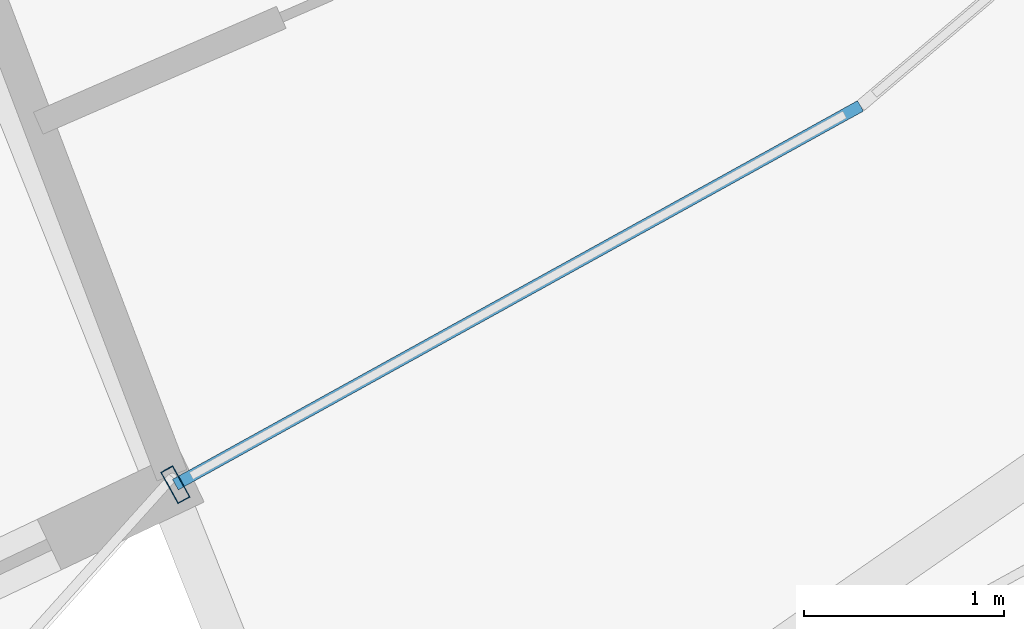
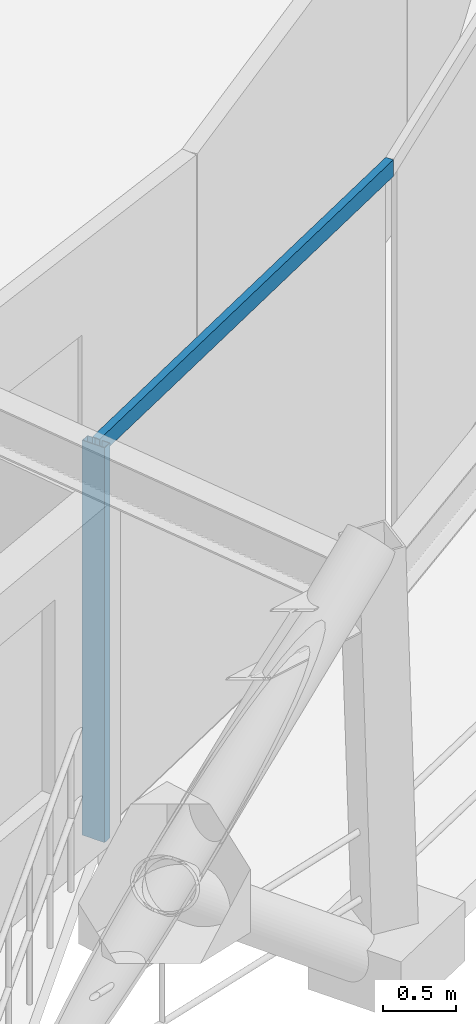
# One storey, part 2 of 15: 2 members, 1 element without a shape of its own.
"""IFC4 building model written with IfcOpenShell, lengths in metres."""

from ifc_helpers import new_model, si_unit, direction, frame, origin, origin_2d, place, context, subcontext, project, spatial, hollow_rectangle, extrude, material, layer, layer_set, material_profile, profile_set, type_object, element, aggregate, save


model = new_model("IFC4")

# Units and contexts
model_context = context("Model", 3, precision=1e-05, world=origin(), true_north=direction((0.0, 1.0)))
body_context = subcontext(model_context, "Body", "Model", "MODEL_VIEW")
ifc_project = project(units=[si_unit("LENGTHUNIT", "METRE"), si_unit("AREAUNIT", "SQUARE_METRE"), si_unit("VOLUMEUNIT", "CUBIC_METRE"), si_unit("PLANEANGLEUNIT", "RADIAN"), si_unit("MASSUNIT", "GRAM", prefix="KILO")], contexts=[model_context])

# Site, building, storey
site_placement = place(None, origin())
site = spatial("IfcSite", under=ifc_project, at=site_placement, CompositionType="ELEMENT")
building_placement = place(site_placement, origin())
building = spatial("IfcBuilding", under=site, at=building_placement, Name="Veldorina Hangang Commons", CompositionType="ELEMENT")
storey_placement = place(building_placement, frame((0.0, 0.0, 258.0)))
storey = spatial("IfcBuildingStorey", under=building, at=storey_placement, Name="L67", CompositionType="ELEMENT", Elevation=258.0)

# Curtain wall, members
ifc_material_1 = material(Name="Glass Low-E Selective", Category="glass")
ifc_layer = layer(ifc_material_1, 0.179931640625)
ifc_layer_set = layer_set([ifc_layer], Name="Glass Low-E Selective")
curtain_wall_type = type_object("IfcCurtainWallType", Name="CW-SYS-Z3", PredefinedType="NOTDEFINED", material=ifc_layer_set)
curtain_wall_placement = place(storey_placement, origin())
curtain_wall = element("IfcCurtainWall", 1, at=curtain_wall_placement, inside=storey, type_object=curtain_wall_type, Name="L67 unitised curtain wall CW-L67-R1", PredefinedType="NOTDEFINED")
ifc_material_2 = material(Name="Aluminium Anodized AA6063-T6", Category="aluminium")
ifc_material_profile_1 = material_profile(ifc_material_2, hollow_rectangle(XDim=0.070068359375, YDim=0.179931640625, WallThickness=0.00390625, at=origin_2d()), Name="ALU-RHS-180x70x4")
ifc_profile_set_1 = profile_set([ifc_material_profile_1], Name="Aluminium Anodized AA6063-T6")
member_type_1 = type_object("IfcMemberType", Name="CW-MUL-180", PredefinedType="MULLION", material=ifc_profile_set_1)
member_1_placement = place(storey_placement, frame((39.589599609375, 5.048095703125, 0.0), z_axis=(0.0, 0.0, 1.0), x_axis=(0.875160698933, 0.483832358408, 0.0)))
member_1 = element("IfcMember", 2, at=member_1_placement, type_object=member_type_1, Name="CW-L67-R1 vertical mullion 1", PredefinedType="MULLION", context=body_context, shape_type="SweptSolid", body=[
    extrude(hollow_rectangle(XDim=0.070068359375, YDim=0.179931640625, WallThickness=0.00390625, at=origin_2d()), origin(), (0.0, 0.0, 1.0), 3.320068359375),
])
ifc_material_profile_2 = material_profile(ifc_material_2, hollow_rectangle(XDim=0.06005859375, YDim=0.139892578125, WallThickness=0.00341796875, at=origin_2d()), Name="ALU-RHS-140x60x3.5")
ifc_profile_set_2 = profile_set([ifc_material_profile_2], Name="Aluminium Anodized AA6063-T6")
member_type_2 = type_object("IfcMemberType", Name="CW-TRN-140", PredefinedType="USERDEFINED", material=ifc_profile_set_2)
member_2_placement = place(storey_placement, frame((39.589599609375, 5.048095703125, 3.280029296875), z_axis=(0.875154749064, 0.483843120433, 0.0), x_axis=(-0.483843120433, 0.875154749064, 0.0)))
member_2 = element("IfcMember", 3, at=member_2_placement, type_object=member_type_2, Name="CW-L67-R1 facet 1 transom 1", ObjectType="TRANSOM", PredefinedType="USERDEFINED", context=body_context, shape_type="SweptSolid", body=[
    extrude(hollow_rectangle(XDim=0.06005859375, YDim=0.139892578125, WallThickness=0.00341796875, at=origin_2d()), origin(), (0.0, 0.0, 1.0), 3.918212890625),
])
aggregate(curtain_wall, [member_1, member_2])

save(model, "model.ifc")
